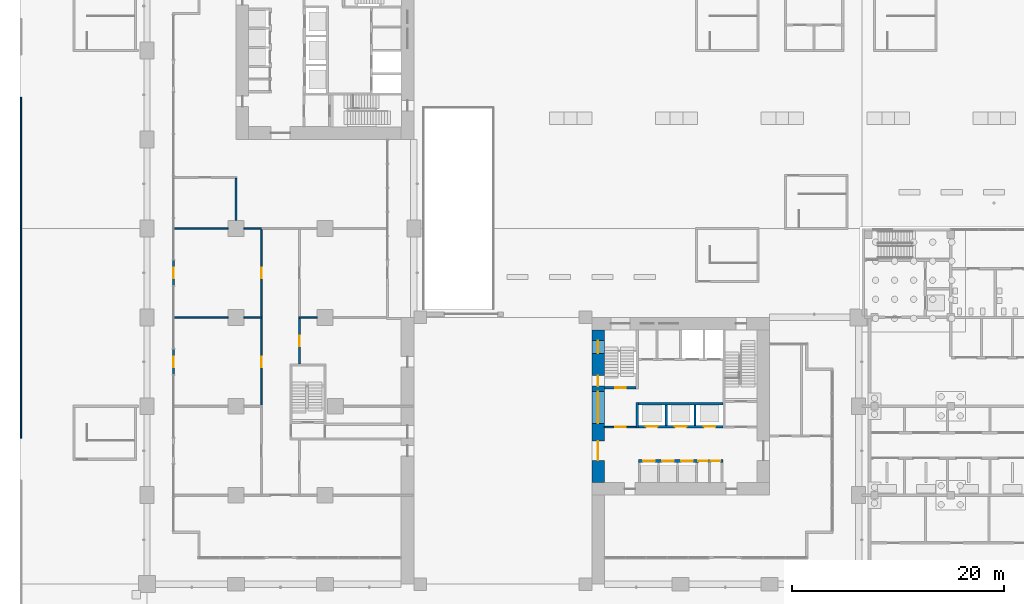
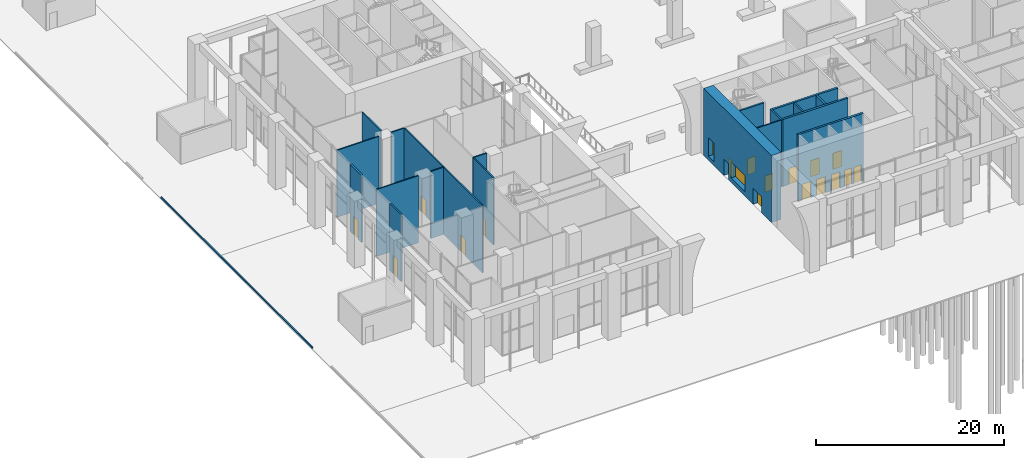
# One storey, part 20 of 46: 21 walls, 17 doors, 2 windows, 19 openings.
"""IFC4 building model written with IfcOpenShell, lengths in metres."""

from ifc_helpers import new_model, si_unit, direction, frame, frame_2d, origin, place, context, subcontext, project, spatial, rectangle, extrude, material, layer, layer_set, type_object, element, fill, save


model = new_model("IFC4")

# Units and contexts
model_context = context("Model", 3, precision=1e-05, world=origin(), true_north=direction((0.0, 1.0)))
body_context = subcontext(model_context, "Body", "Model", "MODEL_VIEW")
ifc_project = project(units=[si_unit("LENGTHUNIT", "METRE"), si_unit("AREAUNIT", "SQUARE_METRE"), si_unit("VOLUMEUNIT", "CUBIC_METRE"), si_unit("PLANEANGLEUNIT", "RADIAN"), si_unit("MASSUNIT", "GRAM", prefix="KILO")], contexts=[model_context])

# Site, building, storey
site_placement = place(None, origin())
site = spatial("IfcSite", under=ifc_project, at=site_placement, CompositionType="ELEMENT")
building_placement = place(site_placement, origin())
building = spatial("IfcBuilding", under=site, at=building_placement, Name="Vermilion Gate Residences", CompositionType="ELEMENT")
storey_placement = place(building_placement, origin())
storey = spatial("IfcBuildingStorey", under=building, at=storey_placement, Name="L00", CompositionType="ELEMENT", Elevation=0.0)

# Wall, opening, door
ifc_material_1 = material(Name="Masonry blockwork", Category="masonry")
ifc_layer_1 = layer(ifc_material_1, 0.14990234375)
ifc_layer_set_1 = layer_set([ifc_layer_1], Name="BLOCKWORK PARTITION 150 EI 120")
wall_type_1 = type_object("IfcWallType", Name="BLOCKWORK PARTITION 150 EI 120", PredefinedType="PARTITIONING", material=ifc_layer_set_1)
wall_1_placement = place(storey_placement, frame((43.199951171875, 14.824951171875, 0.0), z_axis=(0.0, 0.0, 1.0), x_axis=(1.0, 0.0, 0.0)))
wall_1 = element("IfcWall", 1, at=wall_1_placement, inside=storey, type_object=wall_type_1, Name="Core room partition A00-VW-S", PredefinedType="PARTITIONING", context=body_context, shape_type="SweptSolid", body=[
    extrude(rectangle(XDim=3.0, YDim=0.14990234375, at=frame_2d((1.5, 0.0))), origin(), (0.0, 0.0, 1.0), 8.699951171875),
])
opening_1_placement = place(wall_1_placement, frame((1.0, 0.0, 0.0)))
opening_1 = element("IfcOpeningElement", 2, at=opening_1_placement, cuts=wall_1, Name="Opening DK00019", PredefinedType="OPENING", context=body_context, shape_type="SweptSolid", body=[
    extrude(rectangle(XDim=1.0, YDim=2.10009765625, at=frame_2d((0.5, 1.050048828125))), frame((0.0, 0.0849609375, 0.0), z_axis=(0.0, -1.0, 0.0), x_axis=(1.0, 0.0, 0.0)), (0.0, 0.0, 1.0), 0.169921875),
])
ifc_material_2 = material(Name="Steel", Category="steel")
door_type_1 = type_object("IfcDoorType", Name="FIRE DOOR FD60 1000 X 2100", OperationType="SINGLE_SWING_LEFT", PredefinedType="DOOR", material=ifc_material_2)
door_1_placement = place(opening_1_placement, frame((1.0, 0.0, 0.0), z_axis=(0.0, 0.0, 1.0), x_axis=(-1.0, 0.0, 0.0)))
door_1 = element("IfcDoor", 3, at=door_1_placement, inside=storey, type_object=door_type_1, Name="Stair vestibule door A00", OperationType="SINGLE_SWING_RIGHT", OverallHeight=2.10009765625, OverallWidth=1.0, PredefinedType="DOOR", context=body_context, shape_type="SweptSolid", body=[
    extrude(rectangle(XDim=1.0, YDim=2.10009765625, at=frame_2d((0.5, 1.050048828125))), frame((0.0, 0.02490234375, 0.0), z_axis=(0.0, -1.0, 0.0), x_axis=(1.0, 0.0, 0.0)), (0.0, 0.0, 1.0), 0.050048828125),
])
fill(opening_1, door_1)

ifc_material_3 = material(Name="Insulated steel stud wall with terracotta rainscreen", Category="masonry")
ifc_layer_2 = layer(ifc_material_3, 0.199951171875)
ifc_layer_set_2 = layer_set([ifc_layer_2], Name="EXTERNAL WALL 200 TERRACOTTA RAINSCREEN")
wall_type_2 = type_object("IfcWallType", Name="EXTERNAL WALL 200 TERRACOTTA RAINSCREEN", PredefinedType="SOLIDWALL", material=ifc_layer_set_2)
wall_2_placement = place(storey_placement, frame((2.5, 30.60009765625, 0.0), z_axis=(0.0, 0.0, 1.0), x_axis=(0.0, -1.0, 0.0)))
wall_2 = element("IfcWall", 4, at=wall_2_placement, inside=storey, type_object=wall_type_2, Name="External wall", PredefinedType="SOLIDWALL", context=body_context, shape_type="SweptSolid", body=[
    extrude(rectangle(XDim=2.400146484375, YDim=0.199951171875, at=frame_2d((1.2001953125, 0.0))), origin(), (0.0, 0.0, 1.0), 8.699951171875),
])
opening_2_placement = place(wall_2_placement, frame((0.699951171875, 0.0, 0.0)))
opening_2 = element("IfcOpeningElement", 5, at=opening_2_placement, cuts=wall_2, Name="Opening DE00002", PredefinedType="OPENING", context=body_context, shape_type="SweptSolid", body=[
    extrude(rectangle(XDim=1.0, YDim=2.39990234375, at=frame_2d((0.5, 1.199951171875))), frame((0.0, 0.10986328125, 0.0), z_axis=(0.0, -1.0, 0.0), x_axis=(1.0, 0.0, 0.0)), (0.0, 0.0, 1.0), 0.219970703125),
])
ifc_material_4 = material(Name="Aluminium and clear glass", Category="aluminium")
door_type_2 = type_object("IfcDoorType", Name="GLAZED EXTERNAL DOOR 1000 X 2400", OperationType="SINGLE_SWING_LEFT", PredefinedType="DOOR", material=ifc_material_4)
door_2_placement = place(opening_2_placement, frame((1.0, 0.0, 0.0), z_axis=(0.0, 0.0, 1.0), x_axis=(-1.0, 0.0, 0.0)))
door_2 = element("IfcDoor", 6, at=door_2_placement, inside=storey, type_object=door_type_2, Name="Shop door", OperationType="SINGLE_SWING_RIGHT", OverallHeight=2.39990234375, OverallWidth=1.0, PredefinedType="DOOR", context=body_context, shape_type="SweptSolid", body=[
    extrude(rectangle(XDim=1.0, YDim=2.39990234375, at=frame_2d((0.5, 1.199951171875))), frame((0.0, 0.02490234375, 0.0), z_axis=(0.0, -1.0, 0.0), x_axis=(1.0, 0.0, 0.0)), (0.0, 0.0, 1.0), 0.050048828125),
])
fill(opening_2, door_2)

wall_3_placement = place(storey_placement, frame((2.5, 22.199951171875, 0.0), z_axis=(0.0, 0.0, 1.0), x_axis=(0.0, -1.0, 0.0)))
wall_3 = element("IfcWall", 7, at=wall_3_placement, inside=storey, type_object=wall_type_2, Name="External wall", PredefinedType="SOLIDWALL", context=body_context, shape_type="SweptSolid", body=[
    extrude(rectangle(XDim=2.39990234375, YDim=0.199951171875, at=frame_2d((1.199951171875, 0.0))), origin(), (0.0, 0.0, 1.0), 8.699951171875),
])
opening_3_placement = place(wall_3_placement, frame((0.699951171875, 0.0, 0.0)))
opening_3 = element("IfcOpeningElement", 8, at=opening_3_placement, cuts=wall_3, Name="Opening DE00003", PredefinedType="OPENING", context=body_context, shape_type="SweptSolid", body=[
    extrude(rectangle(XDim=1.0, YDim=2.39990234375, at=frame_2d((0.5, 1.199951171875))), frame((0.0, 0.10986328125, 0.0), z_axis=(0.0, -1.0, 0.0), x_axis=(1.0, 0.0, 0.0)), (0.0, 0.0, 1.0), 0.219970703125),
])
door_3_placement = place(opening_3_placement, frame((1.0, 0.0, 0.0), z_axis=(0.0, 0.0, 1.0), x_axis=(-1.0, 0.0, 0.0)))
door_3 = element("IfcDoor", 9, at=door_3_placement, inside=storey, type_object=door_type_2, Name="Shop door", OperationType="SINGLE_SWING_RIGHT", OverallHeight=2.39990234375, OverallWidth=1.0, PredefinedType="DOOR", context=body_context, shape_type="SweptSolid", body=[
    extrude(rectangle(XDim=1.0, YDim=2.39990234375, at=frame_2d((0.5, 1.199951171875))), frame((0.0, 0.02490234375, 0.0), z_axis=(0.0, -1.0, 0.0), x_axis=(1.0, 0.0, 0.0)), (0.0, 0.0, 1.0), 0.050048828125),
])
fill(opening_3, door_3)

# Walls
ifc_material_5 = material(Name="Concrete C35", Category="concrete")
ifc_layer_3 = layer(ifc_material_5, 0.14990234375)
ifc_layer_set_3 = layer_set([ifc_layer_3], Name="KERB 150 X 150 C35 (MARKET HALL)")
wall_type_3 = type_object("IfcWallType", Name="KERB 150 X 150 C35 (MARKET HALL)", PredefinedType="SOLIDWALL", material=ifc_layer_set_3)
wall_4_placement = place(storey_placement, frame((-11.905029296875, 13.800048828125, 0.0), z_axis=(0.0, 0.0, 1.0), x_axis=(0.0, 1.0, 0.0)))
element("IfcWall", 10, at=wall_4_placement, inside=storey, type_object=wall_type_3, Name="Kerb west edge 2", PredefinedType="SOLIDWALL", context=body_context, shape_type="SweptSolid", body=[
    extrude(rectangle(XDim=32.199951171875, YDim=0.14990234375, at=frame_2d((16.10009765625, 0.0))), origin(), (0.0, 0.0, 1.0), 0.14990234375),
])
ifc_material_6 = material(Name="Gypsum board on steel studs", Category="steel")
ifc_layer_4 = layer(ifc_material_6, 0.14990234375)
ifc_layer_set_4 = layer_set([ifc_layer_4], Name="PARTITION 150 EI 60 (AMENITY)")
wall_type_4 = type_object("IfcWallType", Name="PARTITION 150 EI 60 (AMENITY)", PredefinedType="PARTITIONING", material=ifc_layer_set_4)
wall_5_placement = place(storey_placement, frame((2.5, 25.199951171875, 0.0), z_axis=(0.0, 0.0, 1.0), x_axis=(1.0, 0.0, 0.0)))
element("IfcWall", 11, at=wall_5_placement, inside=storey, type_object=wall_type_4, Name="Partition 5", PredefinedType="PARTITIONING", context=body_context, shape_type="SweptSolid", body=[
    extrude(rectangle(XDim=5.14990234375, YDim=0.14990234375, at=frame_2d((2.574951171875, 0.0))), origin(), (0.0, 0.0, 1.0), 8.699951171875),
])
wall_6_placement = place(storey_placement, frame((9.14990234375, 25.199951171875, 0.0), z_axis=(0.0, 0.0, 1.0), x_axis=(1.0, 0.0, 0.0)))
element("IfcWall", 12, at=wall_6_placement, inside=storey, type_object=wall_type_4, Name="Partition 6", PredefinedType="PARTITIONING", context=body_context, shape_type="SweptSolid", body=[
    extrude(rectangle(XDim=1.72509765625, YDim=0.14990234375, at=frame_2d((0.862548828125, 0.0))), origin(), (0.0, 0.0, 1.0), 8.699951171875),
])
wall_7_placement = place(storey_placement, frame((2.5, 33.60009765625, 0.0), z_axis=(0.0, 0.0, 1.0), x_axis=(1.0, 0.0, 0.0)))
element("IfcWall", 13, at=wall_7_placement, inside=storey, type_object=wall_type_4, Name="Partition 7", PredefinedType="PARTITIONING", context=body_context, shape_type="SweptSolid", body=[
    extrude(rectangle(XDim=5.14990234375, YDim=0.14990234375, at=frame_2d((2.574951171875, 0.0))), origin(), (0.0, 0.0, 1.0), 8.699951171875),
])
wall_8_placement = place(storey_placement, frame((8.39990234375, 34.35009765625, 0.0), z_axis=(0.0, 0.0, 1.0), x_axis=(0.0, 1.0, 0.0)))
element("IfcWall", 14, at=wall_8_placement, inside=storey, type_object=wall_type_4, Name="Partition 9", PredefinedType="PARTITIONING", context=body_context, shape_type="SweptSolid", body=[
    extrude(rectangle(XDim=3.974853515625, YDim=0.14990234375, at=frame_2d((1.9873046875, 0.0))), origin(), (0.0, 0.0, 1.0), 8.699951171875),
])
wall_9_placement = place(storey_placement, frame((9.14990234375, 33.60009765625, 0.0), z_axis=(0.0, 0.0, 1.0), x_axis=(1.0, 0.0, 0.0)))
element("IfcWall", 15, at=wall_9_placement, inside=storey, type_object=wall_type_4, Name="Partition 10", PredefinedType="PARTITIONING", context=body_context, shape_type="SweptSolid", body=[
    extrude(rectangle(XDim=1.650146484375, YDim=0.14990234375, at=frame_2d((0.8251953125, 0.0))), origin(), (0.0, 0.0, 1.0), 8.699951171875),
])

# Wall, opening, door
wall_10_placement = place(storey_placement, frame((10.800048828125, 16.875, 0.0), z_axis=(0.0, 0.0, 1.0), x_axis=(0.0, 1.0, 0.0)))
wall_10 = element("IfcWall", 16, at=wall_10_placement, inside=storey, type_object=wall_type_4, Name="Partition 13", PredefinedType="PARTITIONING", context=body_context, shape_type="SweptSolid", body=[
    extrude(rectangle(XDim=8.25, YDim=0.14990234375, at=frame_2d((4.125, 0.0))), origin(), (0.0, 0.0, 1.0), 8.699951171875),
])
opening_4_placement = place(wall_10_placement, frame((3.625, 0.0, 0.0)))
opening_4 = element("IfcOpeningElement", 17, at=opening_4_placement, cuts=wall_10, Name="Opening DM00002", PredefinedType="OPENING", context=body_context, shape_type="SweptSolid", body=[
    extrude(rectangle(XDim=1.0, YDim=2.10009765625, at=frame_2d((0.5, 1.050048828125))), frame((0.0, 0.0849609375, 0.0), z_axis=(0.0, -1.0, 0.0), x_axis=(1.0, 0.0, 0.0)), (0.0, 0.0, 1.0), 0.169921875),
])
ifc_material_7 = material(Name="Glass", Category="glass")
door_type_3 = type_object("IfcDoorType", Name="GLASS DOOR 1000 X 2100 (AMENITY)", OperationType="SINGLE_SWING_LEFT", PredefinedType="DOOR", material=ifc_material_7)
door_4_placement = place(opening_4_placement, origin())
door_4 = element("IfcDoor", 18, at=door_4_placement, inside=storey, type_object=door_type_3, Name="Door L00 2", OperationType="SINGLE_SWING_LEFT", OverallHeight=2.10009765625, OverallWidth=1.0, PredefinedType="DOOR", context=body_context, shape_type="SweptSolid", body=[
    extrude(rectangle(XDim=1.0, YDim=2.10009765625, at=frame_2d((0.5, 1.050048828125))), frame((0.0, 0.02490234375, 0.0), z_axis=(0.0, -1.0, 0.0), x_axis=(1.0, 0.0, 0.0)), (0.0, 0.0, 1.0), 0.050048828125),
])
fill(opening_4, door_4)

wall_11_placement = place(storey_placement, frame((10.800048828125, 25.27490234375, 0.0), z_axis=(0.0, 0.0, 1.0), x_axis=(0.0, 1.0, 0.0)))
wall_11 = element("IfcWall", 19, at=wall_11_placement, inside=storey, type_object=wall_type_4, Name="Partition 14", PredefinedType="PARTITIONING", context=body_context, shape_type="SweptSolid", body=[
    extrude(rectangle(XDim=8.25, YDim=0.14990234375, at=frame_2d((4.125, 0.0))), origin(), (0.0, 0.0, 1.0), 8.699951171875),
])
opening_5_placement = place(wall_11_placement, frame((3.625, 0.0, 0.0)))
opening_5 = element("IfcOpeningElement", 20, at=opening_5_placement, cuts=wall_11, Name="Opening DM00003", PredefinedType="OPENING", context=body_context, shape_type="SweptSolid", body=[
    extrude(rectangle(XDim=1.0, YDim=2.10009765625, at=frame_2d((0.5, 1.050048828125))), frame((0.0, 0.0849609375, 0.0), z_axis=(0.0, -1.0, 0.0), x_axis=(1.0, 0.0, 0.0)), (0.0, 0.0, 1.0), 0.169921875),
])
door_5_placement = place(opening_5_placement, origin())
door_5 = element("IfcDoor", 21, at=door_5_placement, inside=storey, type_object=door_type_3, Name="Door L00 3", OperationType="SINGLE_SWING_LEFT", OverallHeight=2.10009765625, OverallWidth=1.0, PredefinedType="DOOR", context=body_context, shape_type="SweptSolid", body=[
    extrude(rectangle(XDim=1.0, YDim=2.10009765625, at=frame_2d((0.5, 1.050048828125))), frame((0.0, 0.02490234375, 0.0), z_axis=(0.0, -1.0, 0.0), x_axis=(1.0, 0.0, 0.0)), (0.0, 0.0, 1.0), 0.050048828125),
])
fill(opening_5, door_5)

wall_12_placement = place(storey_placement, frame((14.39990234375, 20.800048828125, 0.0), z_axis=(0.0, 0.0, 1.0), x_axis=(0.0, 1.0, 0.0)))
wall_12 = element("IfcWall", 22, at=wall_12_placement, inside=storey, type_object=wall_type_4, Name="Partition 19", PredefinedType="PARTITIONING", context=body_context, shape_type="SweptSolid", body=[
    extrude(rectangle(XDim=4.324951171875, YDim=0.14990234375, at=frame_2d((2.16259765625, 0.0))), origin(), (0.0, 0.0, 1.0), 8.699951171875),
])
opening_6_placement = place(wall_12_placement, frame((1.66259765625, 0.0, 0.0)))
opening_6 = element("IfcOpeningElement", 23, at=opening_6_placement, cuts=wall_12, Name="Opening DM00005", PredefinedType="OPENING", context=body_context, shape_type="SweptSolid", body=[
    extrude(rectangle(XDim=1.0, YDim=2.10009765625, at=frame_2d((0.5, 1.050048828125))), frame((0.0, 0.0849609375, 0.0), z_axis=(0.0, -1.0, 0.0), x_axis=(1.0, 0.0, 0.0)), (0.0, 0.0, 1.0), 0.169921875),
])
door_6_placement = place(opening_6_placement, frame((1.0, 0.0, 0.0), z_axis=(0.0, 0.0, 1.0), x_axis=(-1.0, 0.0, 0.0)))
door_6 = element("IfcDoor", 24, at=door_6_placement, inside=storey, type_object=door_type_3, Name="Door L00 5", OperationType="SINGLE_SWING_LEFT", OverallHeight=2.10009765625, OverallWidth=1.0, PredefinedType="DOOR", context=body_context, shape_type="SweptSolid", body=[
    extrude(rectangle(XDim=1.0, YDim=2.10009765625, at=frame_2d((0.5, 1.050048828125))), frame((0.0, 0.02490234375, 0.0), z_axis=(0.0, -1.0, 0.0), x_axis=(1.0, 0.0, 0.0)), (0.0, 0.0, 1.0), 0.050048828125),
])
fill(opening_6, door_6)

# Walls
wall_13_placement = place(storey_placement, frame((14.324951171875, 25.199951171875, 0.0), z_axis=(0.0, 0.0, 1.0), x_axis=(1.0, 0.0, 0.0)))
element("IfcWall", 25, at=wall_13_placement, inside=storey, type_object=wall_type_4, Name="Partition 21", PredefinedType="PARTITIONING", context=body_context, shape_type="SweptSolid", body=[
    extrude(rectangle(XDim=1.72509765625, YDim=0.14990234375, at=frame_2d((0.862548828125, 0.0))), origin(), (0.0, 0.0, 1.0), 8.699951171875),
])
ifc_material_8 = material(Name="Concrete C60", Category="concrete")
ifc_layer_5 = layer(ifc_material_8, 0.199951171875)
ifc_layer_set_5 = layer_set([ifc_layer_5], Name="RC CORE INTERNAL WALL 200 C60")
wall_type_5 = type_object("IfcWallType", Name="RC CORE INTERNAL WALL 200 C60", PredefinedType="SHEAR", material=ifc_layer_set_5)
for number, where, z_axis, x_axis, name in (
    (26, (49.033447265625, 15.0, 0.0), (0.0, 0.0, 1.0), (0.0, 1.0, 0.0), "Core internal wall A00-HR-D1"),
    (27, (51.7666015625, 15.0, 0.0), (0.0, 0.0, 1.0), (0.0, 1.0, 0.0), "Core internal wall A00-HR-D2"),
):
    element("IfcWall", number, at=place(storey_placement, frame(where, z_axis=z_axis, x_axis=x_axis)), inside=storey, type_object=wall_type_5, Name=name, PredefinedType="SHEAR", context=body_context, shape_type="SweptSolid", body=[
        extrude(rectangle(XDim=1.89990234375, YDim=0.199951171875, at=frame_2d((0.949951171875, 0.0))), origin(), (0.0, 0.0, 1.0), 8.699951171875),
    ])
wall_14_placement = place(storey_placement, frame((46.300048828125, 14.75, 0.0), z_axis=(0.0, 0.0, 1.0), x_axis=(0.0, 1.0, 0.0)))
element("IfcWall", 28, at=wall_14_placement, inside=storey, type_object=wall_type_5, Name="Core internal wall A00-WDIV1", PredefinedType="SHEAR", context=body_context, shape_type="SweptSolid", body=[
    extrude(rectangle(XDim=2.39990234375, YDim=0.199951171875, at=frame_2d((1.199951171875, 0.0))), origin(), (0.0, 0.0, 1.0), 8.699951171875),
])

# Wall, opening, door
wall_15_placement = place(storey_placement, frame((43.199951171875, 18.550048828125, 0.0), z_axis=(0.0, 0.0, 1.0), x_axis=(1.0, 0.0, 0.0)))
wall_15 = element("IfcWall", 29, at=wall_15_placement, inside=storey, type_object=wall_type_5, Name="Core internal wall A00-STW-S", PredefinedType="SHEAR", context=body_context, shape_type="SweptSolid", body=[
    extrude(rectangle(XDim=3.0, YDim=0.199951171875, at=frame_2d((1.5, 0.0))), origin(), (0.0, 0.0, 1.0), 8.699951171875),
])
opening_7_placement = place(wall_15_placement, frame((1.0, 0.0, 0.0)))
opening_7 = element("IfcOpeningElement", 30, at=opening_7_placement, cuts=wall_15, Name="Opening DK00020", PredefinedType="OPENING", context=body_context, shape_type="SweptSolid", body=[
    extrude(rectangle(XDim=1.0, YDim=2.10009765625, at=frame_2d((0.5, 1.050048828125))), frame((0.0, 0.10986328125, 0.0), z_axis=(0.0, -1.0, 0.0), x_axis=(1.0, 0.0, 0.0)), (0.0, 0.0, 1.0), 0.219970703125),
])
door_7_placement = place(opening_7_placement, origin())
door_7 = element("IfcDoor", 31, at=door_7_placement, inside=storey, type_object=door_type_1, Name="Stair door A00", OperationType="SINGLE_SWING_RIGHT", OverallHeight=2.10009765625, OverallWidth=1.0, PredefinedType="DOOR", context=body_context, shape_type="SweptSolid", body=[
    extrude(rectangle(XDim=1.0, YDim=2.10009765625, at=frame_2d((0.5, 1.050048828125))), frame((0.0, 0.02490234375, 0.0), z_axis=(0.0, -1.0, 0.0), x_axis=(1.0, 0.0, 0.0)), (0.0, 0.0, 1.0), 0.050048828125),
])
fill(opening_7, door_7)

# Wall, openings, windows, doors
ifc_material_9 = material(Name="Concrete C80 red-oxide pigmented", Category="concrete")
ifc_layer_6 = layer(ifc_material_9, 1.199951171875)
ifc_layer_set_6 = layer_set([ifc_layer_6], Name="RC CORE WALL 1200 C80 RED OXIDE")
wall_type_6 = type_object("IfcWallType", Name="RC CORE WALL 1200 C80 RED OXIDE", PredefinedType="SHEAR", material=ifc_layer_set_6)
wall_16_placement = place(storey_placement, frame((42.60009765625, 9.60009765625, 0.0), z_axis=(0.0, 0.0, 1.0), x_axis=(0.0, 1.0, 0.0)))
wall_16 = element("IfcWall", 32, at=wall_16_placement, inside=storey, type_object=wall_type_6, Name="Core wall A00-OUT-FR", PredefinedType="SHEAR", context=body_context, shape_type="SweptSolid", body=[
    extrude(rectangle(XDim=14.39990234375, YDim=1.199951171875, at=frame_2d((7.199951171875, 0.0))), origin(), (0.0, 0.0, 1.0), 8.699951171875),
])
opening_8_placement = place(wall_16_placement, frame((2.10009765625, 0.0, 0.0)))
opening_8 = element("IfcOpeningElement", 33, at=opening_8_placement, cuts=wall_16, Name="Opening DK00004", PredefinedType="OPENING", context=body_context, shape_type="SweptSolid", body=[
    extrude(rectangle(XDim=1.800048828125, YDim=2.10009765625, at=frame_2d((0.89990234375, 1.050048828125))), frame((0.0, 0.60986328125, 0.0), z_axis=(0.0, -1.0, 0.0), x_axis=(1.0, 0.0, 0.0)), (0.0, 0.0, 1.0), 1.219970703125),
])
opening_9_placement = place(wall_16_placement, frame((9.10009765625, 0.0, 0.0)))
opening_9 = element("IfcOpeningElement", 34, at=opening_9_placement, cuts=wall_16, Name="Opening DK00005", PredefinedType="OPENING", context=body_context, shape_type="SweptSolid", body=[
    extrude(rectangle(XDim=1.0, YDim=2.10009765625, at=frame_2d((0.5, 1.050048828125))), frame((0.0, 0.60986328125, 0.0), z_axis=(0.0, -1.0, 0.0), x_axis=(1.0, 0.0, 0.0)), (0.0, 0.0, 1.0), 1.219970703125),
])
opening_10_placement = place(wall_16_placement, frame((5.574951171875, 0.0, 0.60009765625)))
opening_10 = element("IfcOpeningElement", 35, at=opening_10_placement, cuts=wall_16, Name="Opening WKA0004", PredefinedType="OPENING", context=body_context, shape_type="SweptSolid", body=[
    extrude(rectangle(XDim=3.0, YDim=2.10009765625, at=frame_2d((1.5, 1.050048828125))), frame((0.0, 0.60986328125, 0.0), z_axis=(0.0, -1.0, 0.0), x_axis=(1.0, 0.0, 0.0)), (0.0, 0.0, 1.0), 1.219970703125),
])
opening_11_placement = place(wall_16_placement, frame((12.19677734375, 0.0, 0.5)))
opening_11 = element("IfcOpeningElement", 36, at=opening_11_placement, cuts=wall_16, Name="Opening WKA0005", PredefinedType="OPENING", context=body_context, shape_type="SweptSolid", body=[
    extrude(rectangle(XDim=1.199951171875, YDim=2.39990234375, at=frame_2d((0.60009765625, 1.199951171875))), frame((0.0, 0.60986328125, 0.0), z_axis=(0.0, -1.0, 0.0), x_axis=(1.0, 0.0, 0.0)), (0.0, 0.0, 1.0), 1.219970703125),
])
ifc_material_10 = material(Name="Aluminium and clear glass", Category="aluminium")
window_type_1 = type_object("IfcWindowType", Name="CORE LOBBY WINDOW 3000 X 2100", PartitioningType="SINGLE_PANEL", PredefinedType="WINDOW", material=ifc_material_10)
window_1_placement = place(opening_10_placement, origin())
window_1 = element("IfcWindow", 37, at=window_1_placement, inside=storey, type_object=window_type_1, Name="Core lobby window", OverallHeight=2.10009765625, OverallWidth=3.0, PartitioningType="SINGLE_PANEL", PredefinedType="WINDOW", context=body_context, shape_type="SweptSolid", body=[
    extrude(rectangle(XDim=3.0, YDim=2.10009765625, at=frame_2d((1.5, 1.050048828125))), frame((0.0, 0.030029296875, 0.0), z_axis=(0.0, -1.0, 0.0), x_axis=(1.0, 0.0, 0.0)), (0.0, 0.0, 1.0), 0.06005859375),
])
fill(opening_10, window_1)
ifc_material_11 = material(Name="Aluminium and clear glass", Category="aluminium")
window_type_2 = type_object("IfcWindowType", Name="CORE STAIR WINDOW 1200 X 2400", PartitioningType="SINGLE_PANEL", PredefinedType="WINDOW", material=ifc_material_11)
window_2_placement = place(opening_11_placement, origin())
window_2 = element("IfcWindow", 38, at=window_2_placement, inside=storey, type_object=window_type_2, Name="Core stair window", OverallHeight=2.39990234375, OverallWidth=1.199951171875, PartitioningType="SINGLE_PANEL", PredefinedType="WINDOW", context=body_context, shape_type="SweptSolid", body=[
    extrude(rectangle(XDim=1.199951171875, YDim=2.39990234375, at=frame_2d((0.60009765625, 1.199951171875))), frame((0.0, 0.030029296875, 0.0), z_axis=(0.0, -1.0, 0.0), x_axis=(1.0, 0.0, 0.0)), (0.0, 0.0, 1.0), 0.06005859375),
])
fill(opening_11, window_2)
ifc_material_12 = material(Name="Aluminium and glass", Category="aluminium")
door_type_4 = type_object("IfcDoorType", Name="EXTERIOR DOOR 1800 X 2100", OperationType="DOUBLE_DOOR_SINGLE_SWING", PredefinedType="DOOR", material=ifc_material_12)
door_8_placement = place(opening_8_placement, origin())
door_8 = element("IfcDoor", 39, at=door_8_placement, inside=storey, type_object=door_type_4, Name="Core entrance door A00", OperationType="DOUBLE_DOOR_SINGLE_SWING", OverallHeight=2.10009765625, OverallWidth=1.800048828125, PredefinedType="DOOR", context=body_context, shape_type="SweptSolid", body=[
    extrude(rectangle(XDim=1.800048828125, YDim=2.10009765625, at=frame_2d((0.89990234375, 1.050048828125))), frame((0.0, 0.02490234375, 0.0), z_axis=(0.0, -1.0, 0.0), x_axis=(1.0, 0.0, 0.0)), (0.0, 0.0, 1.0), 0.050048828125),
])
fill(opening_8, door_8)
ifc_material_13 = material(Name="Steel", Category="steel")
door_type_5 = type_object("IfcDoorType", Name="STAIR EXIT DOOR FD60 1000 X 2100", OperationType="SINGLE_SWING_LEFT", PredefinedType="DOOR", material=ifc_material_13)
door_9_placement = place(opening_9_placement, origin())
door_9 = element("IfcDoor", 40, at=door_9_placement, inside=storey, type_object=door_type_5, Name="Stair exit door A00", OperationType="SINGLE_SWING_LEFT", OverallHeight=2.10009765625, OverallWidth=1.0, PredefinedType="DOOR", context=body_context, shape_type="SweptSolid", body=[
    extrude(rectangle(XDim=1.0, YDim=2.10009765625, at=frame_2d((0.5, 1.050048828125))), frame((0.0, 0.02490234375, 0.0), z_axis=(0.0, -1.0, 0.0), x_axis=(1.0, 0.0, 0.0)), (0.0, 0.0, 1.0), 0.050048828125),
])
fill(opening_9, door_9)

# Wall, openings, doors
ifc_material_14 = material(Name="Concrete C60", Category="concrete")
ifc_layer_7 = layer(ifc_material_14, 0.25)
ifc_layer_set_7 = layer_set([ifc_layer_7], Name="RC LIFT SHAFT WALL 250 C60")
wall_type_7 = type_object("IfcWallType", Name="RC LIFT SHAFT WALL 250 C60", PredefinedType="SHEAR", material=ifc_layer_set_7)
wall_17_placement = place(storey_placement, frame((46.39990234375, 11.625, 0.0), z_axis=(0.0, 0.0, 1.0), x_axis=(1.0, 0.0, 0.0)))
wall_17 = element("IfcWall", 41, at=wall_17_placement, inside=storey, type_object=wall_type_7, Name="Lift shaft wall A00-LR-F", PredefinedType="SHEAR", context=body_context, shape_type="SweptSolid", body=[
    extrude(rectangle(XDim=8.0, YDim=0.25, at=frame_2d((4.0, 0.0))), origin(), (0.0, 0.0, 1.0), 8.699951171875),
])
opening_12_placement = place(wall_17_placement, frame((0.449951171875, 0.0, 0.0)))
opening_12 = element("IfcOpeningElement", 42, at=opening_12_placement, cuts=wall_17, Name="Opening LD", PredefinedType="OPENING", context=body_context, shape_type="SweptSolid", body=[
    extrude(rectangle(XDim=1.10009765625, YDim=2.10009765625, at=frame_2d((0.550048828125, 1.050048828125))), frame((0.0, 0.135009765625, 0.0), z_axis=(0.0, -1.0, 0.0), x_axis=(1.0, 0.0, 0.0)), (0.0, 0.0, 1.0), 0.27001953125),
])
opening_13_placement = place(wall_17_placement, frame((2.25, 0.0, 0.0)))
opening_13 = element("IfcOpeningElement", 43, at=opening_13_placement, cuts=wall_17, Name="Opening LD", PredefinedType="OPENING", context=body_context, shape_type="SweptSolid", body=[
    extrude(rectangle(XDim=1.10009765625, YDim=2.10009765625, at=frame_2d((0.550048828125, 1.050048828125))), frame((0.0, 0.135009765625, 0.0), z_axis=(0.0, -1.0, 0.0), x_axis=(1.0, 0.0, 0.0)), (0.0, 0.0, 1.0), 0.27001953125),
])
opening_14_placement = place(wall_17_placement, frame((4.050048828125, 0.0, 0.0)))
opening_14 = element("IfcOpeningElement", 44, at=opening_14_placement, cuts=wall_17, Name="Opening LD", PredefinedType="OPENING", context=body_context, shape_type="SweptSolid", body=[
    extrude(rectangle(XDim=1.10009765625, YDim=2.10009765625, at=frame_2d((0.550048828125, 1.050048828125))), frame((0.0, 0.135009765625, 0.0), z_axis=(0.0, -1.0, 0.0), x_axis=(1.0, 0.0, 0.0)), (0.0, 0.0, 1.0), 0.27001953125),
])
opening_15_placement = place(wall_17_placement, frame((5.66259765625, 0.0, 0.0)))
opening_15 = element("IfcOpeningElement", 45, at=opening_15_placement, cuts=wall_17, Name="Opening DK00010", PredefinedType="OPENING", context=body_context, shape_type="SweptSolid", body=[
    extrude(rectangle(XDim=0.89990234375, YDim=2.10009765625, at=frame_2d((0.449951171875, 1.050048828125))), frame((0.0, 0.135009765625, 0.0), z_axis=(0.0, -1.0, 0.0), x_axis=(1.0, 0.0, 0.0)), (0.0, 0.0, 1.0), 0.27001953125),
])
opening_16_placement = place(wall_17_placement, frame((6.83740234375, 0.0, 0.0)))
opening_16 = element("IfcOpeningElement", 46, at=opening_16_placement, cuts=wall_17, Name="Opening DK00011", PredefinedType="OPENING", context=body_context, shape_type="SweptSolid", body=[
    extrude(rectangle(XDim=0.89990234375, YDim=2.10009765625, at=frame_2d((0.449951171875, 1.050048828125))), frame((0.0, 0.135009765625, 0.0), z_axis=(0.0, -1.0, 0.0), x_axis=(1.0, 0.0, 0.0)), (0.0, 0.0, 1.0), 0.27001953125),
])
ifc_material_15 = material(Name="Stainless steel", Category="steel")
door_type_6 = type_object("IfcDoorType", Name="LIFT LANDING DOOR E60 1100 X 2100", OperationType="DOUBLE_DOOR_SLIDING", PredefinedType="DOOR", material=ifc_material_15)
door_10_placement = place(opening_12_placement, origin())
door_10 = element("IfcDoor", 47, at=door_10_placement, inside=storey, type_object=door_type_6, Name="Lift landing door LRA1", OperationType="DOUBLE_DOOR_SLIDING", OverallHeight=2.10009765625, OverallWidth=1.10009765625, PredefinedType="DOOR", context=body_context, shape_type="SweptSolid", body=[
    extrude(rectangle(XDim=1.10009765625, YDim=2.10009765625, at=frame_2d((0.550048828125, 1.050048828125))), frame((0.0, 0.02490234375, 0.0), z_axis=(0.0, -1.0, 0.0), x_axis=(1.0, 0.0, 0.0)), (0.0, 0.0, 1.0), 0.050048828125),
])
fill(opening_12, door_10)
door_11_placement = place(opening_13_placement, origin())
door_11 = element("IfcDoor", 48, at=door_11_placement, inside=storey, type_object=door_type_6, Name="Lift landing door LRA2", OperationType="DOUBLE_DOOR_SLIDING", OverallHeight=2.10009765625, OverallWidth=1.10009765625, PredefinedType="DOOR", context=body_context, shape_type="SweptSolid", body=[
    extrude(rectangle(XDim=1.10009765625, YDim=2.10009765625, at=frame_2d((0.550048828125, 1.050048828125))), frame((0.0, 0.02490234375, 0.0), z_axis=(0.0, -1.0, 0.0), x_axis=(1.0, 0.0, 0.0)), (0.0, 0.0, 1.0), 0.050048828125),
])
fill(opening_13, door_11)
door_12_placement = place(opening_14_placement, origin())
door_12 = element("IfcDoor", 49, at=door_12_placement, inside=storey, type_object=door_type_6, Name="Lift landing door LRA3", OperationType="DOUBLE_DOOR_SLIDING", OverallHeight=2.10009765625, OverallWidth=1.10009765625, PredefinedType="DOOR", context=body_context, shape_type="SweptSolid", body=[
    extrude(rectangle(XDim=1.10009765625, YDim=2.10009765625, at=frame_2d((0.550048828125, 1.050048828125))), frame((0.0, 0.02490234375, 0.0), z_axis=(0.0, -1.0, 0.0), x_axis=(1.0, 0.0, 0.0)), (0.0, 0.0, 1.0), 0.050048828125),
])
fill(opening_14, door_12)
ifc_material_16 = material(Name="Steel", Category="steel")
door_type_7 = type_object("IfcDoorType", Name="SERVICE ROOM DOOR FD60 900 X 2100", OperationType="SINGLE_SWING_LEFT", PredefinedType="DOOR", material=ifc_material_16)
door_13_placement = place(opening_15_placement, frame((0.89990234375, 0.0, 0.0), z_axis=(0.0, 0.0, 1.0), x_axis=(-1.0, 0.0, 0.0)))
door_13 = element("IfcDoor", 50, at=door_13_placement, inside=storey, type_object=door_type_7, Name="Mail room A00", OperationType="SINGLE_SWING_RIGHT", OverallHeight=2.10009765625, OverallWidth=0.89990234375, PredefinedType="DOOR", context=body_context, shape_type="SweptSolid", body=[
    extrude(rectangle(XDim=0.89990234375, YDim=2.10009765625, at=frame_2d((0.449951171875, 1.050048828125))), frame((0.0, 0.02490234375, 0.0), z_axis=(0.0, -1.0, 0.0), x_axis=(1.0, 0.0, 0.0)), (0.0, 0.0, 1.0), 0.050048828125),
])
fill(opening_15, door_13)
door_14_placement = place(opening_16_placement, frame((0.89990234375, 0.0, 0.0), z_axis=(0.0, 0.0, 1.0), x_axis=(-1.0, 0.0, 0.0)))
door_14 = element("IfcDoor", 51, at=door_14_placement, inside=storey, type_object=door_type_7, Name="Cleaner's store A00", OperationType="SINGLE_SWING_RIGHT", OverallHeight=2.10009765625, OverallWidth=0.89990234375, PredefinedType="DOOR", context=body_context, shape_type="SweptSolid", body=[
    extrude(rectangle(XDim=0.89990234375, YDim=2.10009765625, at=frame_2d((0.449951171875, 1.050048828125))), frame((0.0, 0.02490234375, 0.0), z_axis=(0.0, -1.0, 0.0), x_axis=(1.0, 0.0, 0.0)), (0.0, 0.0, 1.0), 0.050048828125),
])
fill(opening_16, door_14)

wall_18_placement = place(storey_placement, frame((46.39990234375, 14.875, 0.0), z_axis=(0.0, 0.0, 1.0), x_axis=(1.0, 0.0, 0.0)))
wall_18 = element("IfcWall", 52, at=wall_18_placement, inside=storey, type_object=wall_type_7, Name="Lift shaft wall A00-HR-F", PredefinedType="SHEAR", context=body_context, shape_type="SweptSolid", body=[
    extrude(rectangle(XDim=8.0, YDim=0.25, at=frame_2d((4.0, 0.0))), origin(), (0.0, 0.0, 1.0), 8.699951171875),
])
opening_17_placement = place(wall_18_placement, frame((0.716552734375, 0.0, 0.0)))
opening_17 = element("IfcOpeningElement", 53, at=opening_17_placement, cuts=wall_18, Name="Opening LD", PredefinedType="OPENING", context=body_context, shape_type="SweptSolid", body=[
    extrude(rectangle(XDim=1.10009765625, YDim=2.10009765625, at=frame_2d((0.550048828125, 1.050048828125))), frame((0.0, 0.135009765625, 0.0), z_axis=(0.0, -1.0, 0.0), x_axis=(1.0, 0.0, 0.0)), (0.0, 0.0, 1.0), 0.27001953125),
])
opening_18_placement = place(wall_18_placement, frame((3.449951171875, 0.0, 0.0)))
opening_18 = element("IfcOpeningElement", 54, at=opening_18_placement, cuts=wall_18, Name="Opening LD", PredefinedType="OPENING", context=body_context, shape_type="SweptSolid", body=[
    extrude(rectangle(XDim=1.10009765625, YDim=2.10009765625, at=frame_2d((0.550048828125, 1.050048828125))), frame((0.0, 0.135009765625, 0.0), z_axis=(0.0, -1.0, 0.0), x_axis=(1.0, 0.0, 0.0)), (0.0, 0.0, 1.0), 0.27001953125),
])
opening_19_placement = place(wall_18_placement, frame((6.183349609375, 0.0, 0.0)))
opening_19 = element("IfcOpeningElement", 55, at=opening_19_placement, cuts=wall_18, Name="Opening LD", PredefinedType="OPENING", context=body_context, shape_type="SweptSolid", body=[
    extrude(rectangle(XDim=1.10009765625, YDim=2.10009765625, at=frame_2d((0.550048828125, 1.050048828125))), frame((0.0, 0.135009765625, 0.0), z_axis=(0.0, -1.0, 0.0), x_axis=(1.0, 0.0, 0.0)), (0.0, 0.0, 1.0), 0.27001953125),
])
door_15_placement = place(opening_17_placement, origin())
door_15 = element("IfcDoor", 56, at=door_15_placement, inside=storey, type_object=door_type_6, Name="Lift landing door HRA1", OperationType="DOUBLE_DOOR_SLIDING", OverallHeight=2.10009765625, OverallWidth=1.10009765625, PredefinedType="DOOR", context=body_context, shape_type="SweptSolid", body=[
    extrude(rectangle(XDim=1.10009765625, YDim=2.10009765625, at=frame_2d((0.550048828125, 1.050048828125))), frame((0.0, 0.02490234375, 0.0), z_axis=(0.0, -1.0, 0.0), x_axis=(1.0, 0.0, 0.0)), (0.0, 0.0, 1.0), 0.050048828125),
])
fill(opening_17, door_15)
door_16_placement = place(opening_18_placement, origin())
door_16 = element("IfcDoor", 57, at=door_16_placement, inside=storey, type_object=door_type_6, Name="Lift landing door HRA2", OperationType="DOUBLE_DOOR_SLIDING", OverallHeight=2.10009765625, OverallWidth=1.10009765625, PredefinedType="DOOR", context=body_context, shape_type="SweptSolid", body=[
    extrude(rectangle(XDim=1.10009765625, YDim=2.10009765625, at=frame_2d((0.550048828125, 1.050048828125))), frame((0.0, 0.02490234375, 0.0), z_axis=(0.0, -1.0, 0.0), x_axis=(1.0, 0.0, 0.0)), (0.0, 0.0, 1.0), 0.050048828125),
])
fill(opening_18, door_16)
door_17_placement = place(opening_19_placement, origin())
door_17 = element("IfcDoor", 58, at=door_17_placement, inside=storey, type_object=door_type_6, Name="Lift landing door HRA3", OperationType="DOUBLE_DOOR_SLIDING", OverallHeight=2.10009765625, OverallWidth=1.10009765625, PredefinedType="DOOR", context=body_context, shape_type="SweptSolid", body=[
    extrude(rectangle(XDim=1.10009765625, YDim=2.10009765625, at=frame_2d((0.550048828125, 1.050048828125))), frame((0.0, 0.02490234375, 0.0), z_axis=(0.0, -1.0, 0.0), x_axis=(1.0, 0.0, 0.0)), (0.0, 0.0, 1.0), 0.050048828125),
])
fill(opening_19, door_17)

# Wall
wall_19_placement = place(storey_placement, frame((46.39990234375, 17.02490234375, 0.0), z_axis=(0.0, 0.0, 1.0), x_axis=(1.0, 0.0, 0.0)))
element("IfcWall", 59, at=wall_19_placement, inside=storey, type_object=wall_type_7, Name="Lift shaft wall A00-HR-B", PredefinedType="SHEAR", context=body_context, shape_type="SweptSolid", body=[
    extrude(rectangle(XDim=8.0, YDim=0.25, at=frame_2d((4.0, 0.0))), origin(), (0.0, 0.0, 1.0), 8.699951171875),
])

save(model, "model.ifc")
